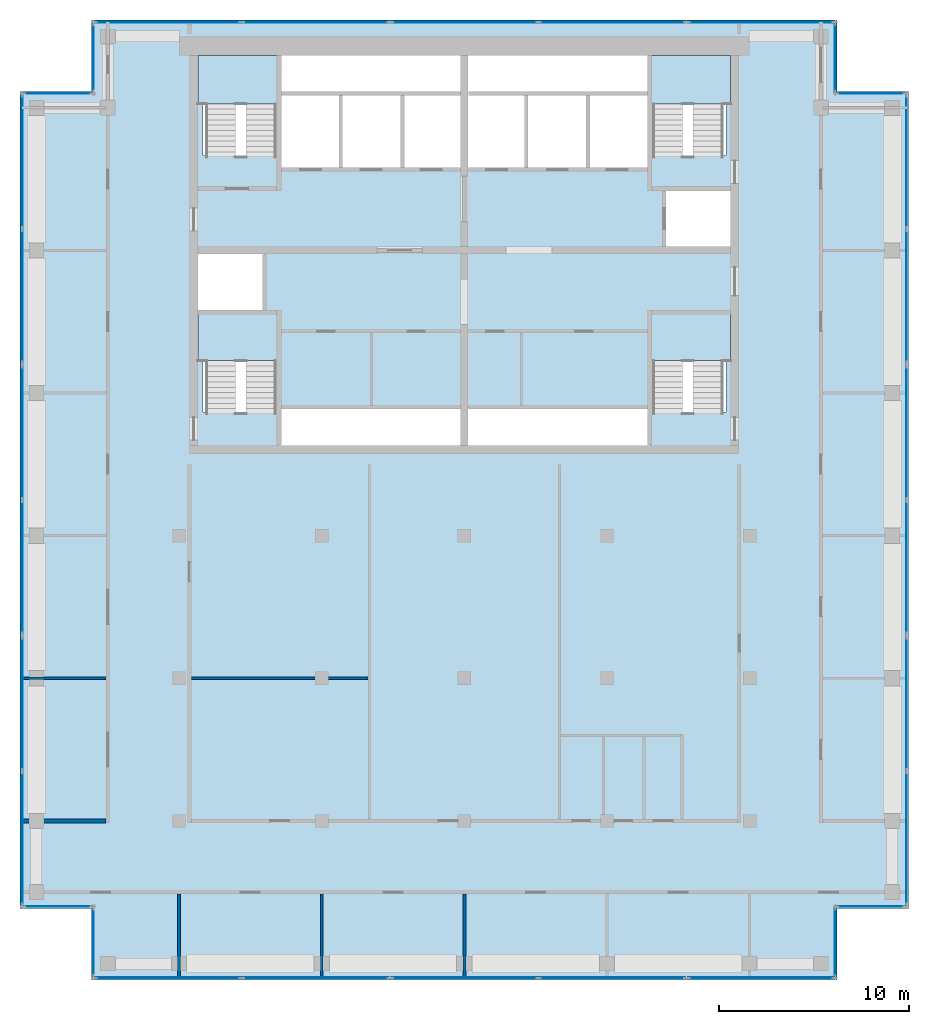
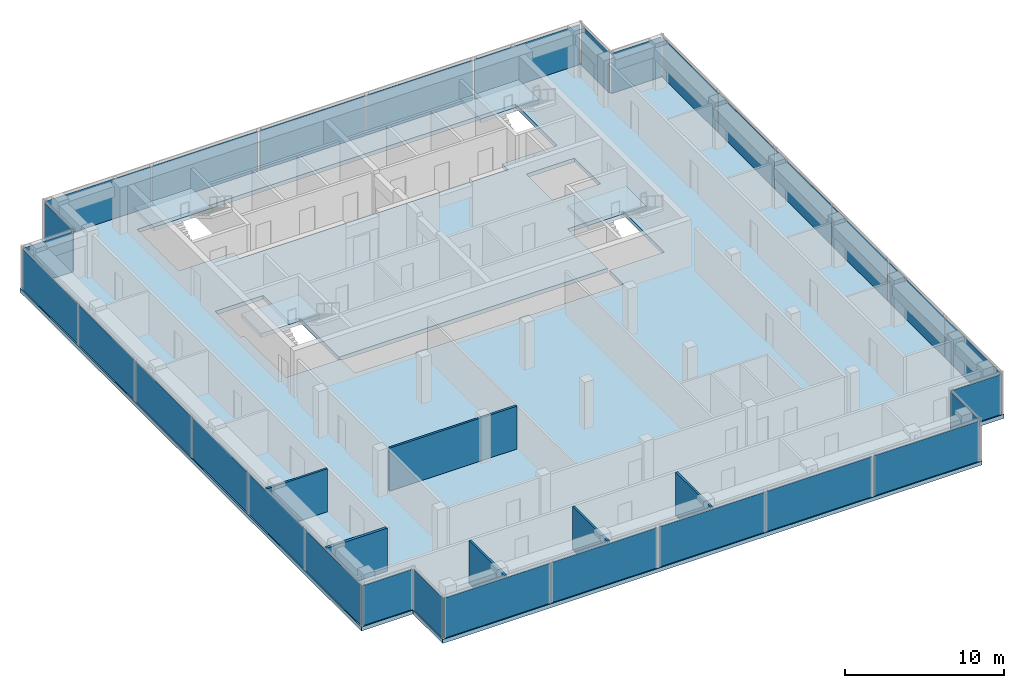
# One storey, part 5 of 9: 30 plates, 6 walls, 5 slabs, 24 elements without a shape of their own.
"""IFC4 building model written with IfcOpenShell, lengths in metres."""

from ifc_helpers import new_model, si_unit, direction, frame, frame_2d, origin, origin_2d, place, context, subcontext, project, spatial, polyline, rectangle, outline, extrude, material, layer, layer_set, type_object, element, aggregate, save


model = new_model("IFC4")

# Units and contexts
model_context = context("Model", 3, precision=1e-05, world=origin(), true_north=direction((0.0, 1.0)))
body_context = subcontext(model_context, "Body", "Model", "MODEL_VIEW")
ifc_project = project(units=[si_unit("LENGTHUNIT", "METRE"), si_unit("AREAUNIT", "SQUARE_METRE"), si_unit("VOLUMEUNIT", "CUBIC_METRE"), si_unit("PLANEANGLEUNIT", "RADIAN"), si_unit("MASSUNIT", "GRAM", prefix="KILO")], contexts=[model_context])

# Site, building, storey
site_placement = place(None, origin())
site = spatial("IfcSite", under=ifc_project, at=site_placement, CompositionType="ELEMENT")
building_placement = place(site_placement, origin())
building = spatial("IfcBuilding", under=site, at=building_placement, Name="Pilkhan Gate Tower", CompositionType="ELEMENT")
storey_placement = place(building_placement, frame((0.0, 0.0, 262.10009765625)))
storey = spatial("IfcBuildingStorey", under=building, at=storey_placement, Name="L68", CompositionType="ELEMENT", Elevation=262.10009765625)

# Slab
ifc_material_1 = material(Name="Concrete C40/50", Category="concrete")
ifc_layer_1 = layer(ifc_material_1, 0.300048828125)
ifc_layer_set_1 = layer_set([ifc_layer_1], Name="Flat plate slab FP300")
slab_type_1 = type_object("IfcSlabType", Name="Flat plate slab FP300", PredefinedType="FLOOR", material=ifc_layer_set_1)
slab_1_placement = place(storey_placement, frame((0.0, 0.0, -0.300048828125)))
element("IfcSlab", 1, at=slab_1_placement, inside=storey, type_object=slab_type_1, Name="Floor slab L68", PredefinedType="FLOOR", context=body_context, shape_type="SweptSolid", body=[
    extrude(outline(polyline([(94.60009765625, 44.14990234375), (55.39990234375, 44.14990234375), (55.39990234375, 47.89990234375), (51.64990234375, 47.89990234375), (51.64990234375, 90.85009765625), (55.39990234375, 90.85009765625), (55.39990234375, 94.60009765625), (94.60009765625, 94.60009765625), (94.60009765625, 90.85009765625), (98.35009765625, 90.85009765625), (98.35009765625, 47.89990234375), (94.60009765625, 47.89990234375), (94.60009765625, 44.14990234375)]), holes=[polyline([(68.5, 86.75), (71.75, 86.75), (75.0, 86.75), (78.25, 86.75), (81.5, 86.75), (84.75, 86.75), (84.75, 87.5), (88.75, 87.5), (88.75, 92.75), (84.75, 92.75), (75.0, 92.75), (65.25, 92.75), (61.25, 92.75), (61.25, 87.5), (65.25, 87.5), (65.25, 86.75), (68.5, 86.75)]), polyline([(84.75, 74.25), (75.0, 74.25), (65.25, 74.25), (65.25, 79.25), (64.5, 79.25), (64.5, 82.5), (61.25, 82.5), (61.0, 82.5), (61.0, 79.25), (61.25, 79.25), (61.25, 74.0), (65.25, 74.0), (65.25, 72.25), (75.0, 72.25), (84.75, 72.25), (84.75, 74.0), (88.75, 74.0), (88.75, 79.25), (84.75, 79.25), (84.75, 74.25)]), polyline([(85.5, 85.75), (85.5, 82.5), (88.75, 82.5), (89.0, 82.5), (89.0, 85.75), (88.75, 85.75), (85.5, 85.75)])]), origin(), (0.0, 0.0, 1.0), 0.300048828125),
])

# Curtain wall, plates
ifc_material_2 = material(Name="Pale anodised aluminium, clear low-iron double glazing", Category="aluminium")
curtain_wall_type = type_object("IfcCurtainWallType", Name="Crown unitised curtain wall CW-C", PredefinedType="USERDEFINED", material=ifc_material_2)
curtain_wall_1_placement = place(storey_placement, origin())
curtain_wall_1 = element("IfcCurtainWall", 2, at=curtain_wall_1_placement, inside=storey, type_object=curtain_wall_type, Name="Crown unitised curtain wall CW-C L68 E", ObjectType="UNITISED CURTAIN WALL", PredefinedType="USERDEFINED")
ifc_material_3 = material(Name="Clear low-iron double glazing", Category="glass")
ifc_layer_2 = layer(ifc_material_3, 0.0439453125)
ifc_layer_set_2 = layer_set([ifc_layer_2], Name="Glass panel CW-C 44")
plate_type = type_object("IfcPlateType", Name="Glass panel CW-C 44", PredefinedType="CURTAIN_PANEL", material=ifc_layer_set_2)
plate_1_placement = place(storey_placement, frame((98.25, 51.581298828125, -0.000244140625), z_axis=(0.0, 0.0, 1.0), x_axis=(0.0, 1.0, 0.0)))
plate_1 = element("IfcPlate", 3, at=plate_1_placement, type_object=plate_type, Name="CW-C panel 1", PredefinedType="CURTAIN_PANEL", context=body_context, shape_type="SweptSolid", body=[
    extrude(rectangle(XDim=7.012451171875, YDim=0.0439453125, at=origin_2d()), origin(), (0.0, 0.0, 1.0), 3.080078125),
])
plate_2_placement = place(storey_placement, frame((98.25, 58.668701171875, -0.000244140625), z_axis=(0.0, 0.0, 1.0), x_axis=(0.0, 1.0, 0.0)))
plate_2 = element("IfcPlate", 4, at=plate_2_placement, type_object=plate_type, Name="CW-C panel 2", PredefinedType="CURTAIN_PANEL", context=body_context, shape_type="SweptSolid", body=[
    extrude(rectangle(XDim=7.012451171875, YDim=0.0439453125, at=origin_2d()), origin(), (0.0, 0.0, 1.0), 3.080078125),
])
aggregate(curtain_wall_1, [plate_1, plate_2])

curtain_wall_2_placement = place(storey_placement, origin())
curtain_wall_2 = element("IfcCurtainWall", 5, at=curtain_wall_2_placement, inside=storey, type_object=curtain_wall_type, Name="Crown unitised curtain wall CW-C L68 E", ObjectType="UNITISED CURTAIN WALL", PredefinedType="USERDEFINED")
plate_3_placement = place(storey_placement, frame((98.25, 65.831298828125, -0.000244140625), z_axis=(0.0, 0.0, 1.0), x_axis=(0.0, 1.0, 0.0)))
plate_3 = element("IfcPlate", 6, at=plate_3_placement, type_object=plate_type, Name="CW-C panel 1", PredefinedType="CURTAIN_PANEL", context=body_context, shape_type="SweptSolid", body=[
    extrude(rectangle(XDim=7.012451171875, YDim=0.0439453125, at=origin_2d()), origin(), (0.0, 0.0, 1.0), 3.080078125),
])
plate_4_placement = place(storey_placement, frame((98.25, 72.918701171875, -0.000244140625), z_axis=(0.0, 0.0, 1.0), x_axis=(0.0, 1.0, 0.0)))
plate_4 = element("IfcPlate", 7, at=plate_4_placement, type_object=plate_type, Name="CW-C panel 2", PredefinedType="CURTAIN_PANEL", context=body_context, shape_type="SweptSolid", body=[
    extrude(rectangle(XDim=7.012451171875, YDim=0.0439453125, at=origin_2d()), origin(), (0.0, 0.0, 1.0), 3.080078125),
])
aggregate(curtain_wall_2, [plate_3, plate_4])

curtain_wall_3_placement = place(storey_placement, origin())
curtain_wall_3 = element("IfcCurtainWall", 8, at=curtain_wall_3_placement, inside=storey, type_object=curtain_wall_type, Name="Crown unitised curtain wall CW-C L68 E", ObjectType="UNITISED CURTAIN WALL", PredefinedType="USERDEFINED")
plate_5_placement = place(storey_placement, frame((98.25, 80.081298828125, -0.000244140625), z_axis=(0.0, 0.0, 1.0), x_axis=(0.0, 1.0, 0.0)))
plate_5 = element("IfcPlate", 9, at=plate_5_placement, type_object=plate_type, Name="CW-C panel 1", PredefinedType="CURTAIN_PANEL", context=body_context, shape_type="SweptSolid", body=[
    extrude(rectangle(XDim=7.012451171875, YDim=0.0439453125, at=origin_2d()), origin(), (0.0, 0.0, 1.0), 3.080078125),
])
plate_6_placement = place(storey_placement, frame((98.25, 87.168701171875, -0.000244140625), z_axis=(0.0, 0.0, 1.0), x_axis=(0.0, 1.0, 0.0)))
plate_6 = element("IfcPlate", 10, at=plate_6_placement, type_object=plate_type, Name="CW-C panel 2", PredefinedType="CURTAIN_PANEL", context=body_context, shape_type="SweptSolid", body=[
    extrude(rectangle(XDim=7.012451171875, YDim=0.0439453125, at=origin_2d()), origin(), (0.0, 0.0, 1.0), 3.080078125),
])
aggregate(curtain_wall_3, [plate_5, plate_6])

# Curtain wall, plate
curtain_wall_4_placement = place(storey_placement, origin())
curtain_wall_4 = element("IfcCurtainWall", 11, at=curtain_wall_4_placement, inside=storey, type_object=curtain_wall_type, Name="Crown unitised curtain wall CW-C L68 N", ObjectType="UNITISED CURTAIN WALL", PredefinedType="USERDEFINED")
plate_7_placement = place(storey_placement, frame((96.375, 90.75, -0.000244140625), z_axis=(0.0, 0.0, 1.0), x_axis=(1.0, 0.0, 0.0)))
plate_7 = element("IfcPlate", 12, at=plate_7_placement, type_object=plate_type, Name="CW-C panel 1", PredefinedType="CURTAIN_PANEL", context=body_context, shape_type="SweptSolid", body=[
    extrude(rectangle(XDim=3.60009765625, YDim=0.0439453125, at=origin_2d()), origin(), (0.0, 0.0, 1.0), 3.080078125),
])
aggregate(curtain_wall_4, [plate_7])

curtain_wall_5_placement = place(storey_placement, origin())
curtain_wall_5 = element("IfcCurtainWall", 13, at=curtain_wall_5_placement, inside=storey, type_object=curtain_wall_type, Name="Crown unitised curtain wall CW-C L68 E", ObjectType="UNITISED CURTAIN WALL", PredefinedType="USERDEFINED")
plate_8_placement = place(storey_placement, frame((94.5, 92.625, -0.000244140625), z_axis=(0.0, 0.0, 1.0), x_axis=(0.0, 1.0, 0.0)))
plate_8 = element("IfcPlate", 14, at=plate_8_placement, type_object=plate_type, Name="CW-C panel 1", PredefinedType="CURTAIN_PANEL", context=body_context, shape_type="SweptSolid", body=[
    extrude(rectangle(XDim=3.60009765625, YDim=0.0439453125, at=origin_2d()), origin(), (0.0, 0.0, 1.0), 3.080078125),
])
aggregate(curtain_wall_5, [plate_8])

# Curtain wall, plates
curtain_wall_6_placement = place(storey_placement, origin())
curtain_wall_6 = element("IfcCurtainWall", 15, at=curtain_wall_6_placement, inside=storey, type_object=curtain_wall_type, Name="Crown unitised curtain wall CW-C L68 N", ObjectType="UNITISED CURTAIN WALL", PredefinedType="USERDEFINED")
plate_9_placement = place(storey_placement, frame((59.418701171875, 94.5, -0.000244140625), z_axis=(0.0, 0.0, 1.0), x_axis=(1.0, 0.0, 0.0)))
plate_9 = element("IfcPlate", 16, at=plate_9_placement, type_object=plate_type, Name="CW-C panel 1", PredefinedType="CURTAIN_PANEL", context=body_context, shape_type="SweptSolid", body=[
    extrude(rectangle(XDim=7.6875, YDim=0.0439453125, at=origin_2d()), origin(), (0.0, 0.0, 1.0), 3.080078125),
])
plate_10_placement = place(storey_placement, frame((67.18115234375, 94.5, -0.000244140625), z_axis=(0.0, 0.0, 1.0), x_axis=(1.0, 0.0, 0.0)))
plate_10 = element("IfcPlate", 17, at=plate_10_placement, type_object=plate_type, Name="CW-C panel 2", PredefinedType="CURTAIN_PANEL", context=body_context, shape_type="SweptSolid", body=[
    extrude(rectangle(XDim=7.6875, YDim=0.0439453125, at=origin_2d()), origin(), (0.0, 0.0, 1.0), 3.080078125),
])
aggregate(curtain_wall_6, [plate_9, plate_10])

curtain_wall_7_placement = place(storey_placement, origin())
curtain_wall_7 = element("IfcCurtainWall", 18, at=curtain_wall_7_placement, inside=storey, type_object=curtain_wall_type, Name="Crown unitised curtain wall CW-C L68 N", ObjectType="UNITISED CURTAIN WALL", PredefinedType="USERDEFINED")
plate_11_placement = place(storey_placement, frame((75.018798828125, 94.5, -0.000244140625), z_axis=(0.0, 0.0, 1.0), x_axis=(1.0, 0.0, 0.0)))
plate_11 = element("IfcPlate", 19, at=plate_11_placement, type_object=plate_type, Name="CW-C panel 1", PredefinedType="CURTAIN_PANEL", context=body_context, shape_type="SweptSolid", body=[
    extrude(rectangle(XDim=7.6875, YDim=0.0439453125, at=origin_2d()), origin(), (0.0, 0.0, 1.0), 3.080078125),
])
plate_12_placement = place(storey_placement, frame((82.78125, 94.5, -0.000244140625), z_axis=(0.0, 0.0, 1.0), x_axis=(1.0, 0.0, 0.0)))
plate_12 = element("IfcPlate", 20, at=plate_12_placement, type_object=plate_type, Name="CW-C panel 2", PredefinedType="CURTAIN_PANEL", context=body_context, shape_type="SweptSolid", body=[
    extrude(rectangle(XDim=7.6875, YDim=0.0439453125, at=origin_2d()), origin(), (0.0, 0.0, 1.0), 3.080078125),
])
aggregate(curtain_wall_7, [plate_11, plate_12])

# Curtain wall, plate
curtain_wall_8_placement = place(storey_placement, origin())
curtain_wall_8 = element("IfcCurtainWall", 21, at=curtain_wall_8_placement, inside=storey, type_object=curtain_wall_type, Name="Crown unitised curtain wall CW-C L68 N", ObjectType="UNITISED CURTAIN WALL", PredefinedType="USERDEFINED")
plate_13_placement = place(storey_placement, frame((90.60009765625, 94.5, -0.000244140625), z_axis=(0.0, 0.0, 1.0), x_axis=(1.0, 0.0, 0.0)))
plate_13 = element("IfcPlate", 22, at=plate_13_placement, type_object=plate_type, Name="CW-C panel 1", PredefinedType="CURTAIN_PANEL", context=body_context, shape_type="SweptSolid", body=[
    extrude(rectangle(XDim=7.64990234375, YDim=0.0439453125, at=origin_2d()), origin(), (0.0, 0.0, 1.0), 3.080078125),
])
aggregate(curtain_wall_8, [plate_13])

curtain_wall_9_placement = place(storey_placement, origin())
curtain_wall_9 = element("IfcCurtainWall", 23, at=curtain_wall_9_placement, inside=storey, type_object=curtain_wall_type, Name="Crown unitised curtain wall CW-C L68 W", ObjectType="UNITISED CURTAIN WALL", PredefinedType="USERDEFINED")
plate_14_placement = place(storey_placement, frame((55.5, 92.625, -0.000244140625), z_axis=(0.0, 0.0, 1.0), x_axis=(0.0, 1.0, 0.0)))
plate_14 = element("IfcPlate", 24, at=plate_14_placement, type_object=plate_type, Name="CW-C panel 1", PredefinedType="CURTAIN_PANEL", context=body_context, shape_type="SweptSolid", body=[
    extrude(rectangle(XDim=3.60009765625, YDim=0.0439453125, at=origin_2d()), origin(), (0.0, 0.0, 1.0), 3.080078125),
])
aggregate(curtain_wall_9, [plate_14])

curtain_wall_10_placement = place(storey_placement, origin())
curtain_wall_10 = element("IfcCurtainWall", 25, at=curtain_wall_10_placement, inside=storey, type_object=curtain_wall_type, Name="Crown unitised curtain wall CW-C L68 N", ObjectType="UNITISED CURTAIN WALL", PredefinedType="USERDEFINED")
plate_15_placement = place(storey_placement, frame((53.625, 90.75, -0.000244140625), z_axis=(0.0, 0.0, 1.0), x_axis=(1.0, 0.0, 0.0)))
plate_15 = element("IfcPlate", 26, at=plate_15_placement, type_object=plate_type, Name="CW-C panel 1", PredefinedType="CURTAIN_PANEL", context=body_context, shape_type="SweptSolid", body=[
    extrude(rectangle(XDim=3.60009765625, YDim=0.0439453125, at=origin_2d()), origin(), (0.0, 0.0, 1.0), 3.080078125),
])
aggregate(curtain_wall_10, [plate_15])

# Curtain wall, plates
curtain_wall_11_placement = place(storey_placement, origin())
curtain_wall_11 = element("IfcCurtainWall", 27, at=curtain_wall_11_placement, inside=storey, type_object=curtain_wall_type, Name="Crown unitised curtain wall CW-C L68 W", ObjectType="UNITISED CURTAIN WALL", PredefinedType="USERDEFINED")
plate_16_placement = place(storey_placement, frame((51.75, 51.581298828125, -0.000244140625), z_axis=(0.0, 0.0, 1.0), x_axis=(0.0, 1.0, 0.0)))
plate_16 = element("IfcPlate", 28, at=plate_16_placement, type_object=plate_type, Name="CW-C panel 1", PredefinedType="CURTAIN_PANEL", context=body_context, shape_type="SweptSolid", body=[
    extrude(rectangle(XDim=7.012451171875, YDim=0.0439453125, at=origin_2d()), origin(), (0.0, 0.0, 1.0), 3.080078125),
])
plate_17_placement = place(storey_placement, frame((51.75, 58.668701171875, -0.000244140625), z_axis=(0.0, 0.0, 1.0), x_axis=(0.0, 1.0, 0.0)))
plate_17 = element("IfcPlate", 29, at=plate_17_placement, type_object=plate_type, Name="CW-C panel 2", PredefinedType="CURTAIN_PANEL", context=body_context, shape_type="SweptSolid", body=[
    extrude(rectangle(XDim=7.012451171875, YDim=0.0439453125, at=origin_2d()), origin(), (0.0, 0.0, 1.0), 3.080078125),
])
aggregate(curtain_wall_11, [plate_16, plate_17])

curtain_wall_12_placement = place(storey_placement, origin())
curtain_wall_12 = element("IfcCurtainWall", 30, at=curtain_wall_12_placement, inside=storey, type_object=curtain_wall_type, Name="Crown unitised curtain wall CW-C L68 W", ObjectType="UNITISED CURTAIN WALL", PredefinedType="USERDEFINED")
plate_18_placement = place(storey_placement, frame((51.75, 65.831298828125, -0.000244140625), z_axis=(0.0, 0.0, 1.0), x_axis=(0.0, 1.0, 0.0)))
plate_18 = element("IfcPlate", 31, at=plate_18_placement, type_object=plate_type, Name="CW-C panel 1", PredefinedType="CURTAIN_PANEL", context=body_context, shape_type="SweptSolid", body=[
    extrude(rectangle(XDim=7.012451171875, YDim=0.0439453125, at=origin_2d()), origin(), (0.0, 0.0, 1.0), 3.080078125),
])
plate_19_placement = place(storey_placement, frame((51.75, 72.918701171875, -0.000244140625), z_axis=(0.0, 0.0, 1.0), x_axis=(0.0, 1.0, 0.0)))
plate_19 = element("IfcPlate", 32, at=plate_19_placement, type_object=plate_type, Name="CW-C panel 2", PredefinedType="CURTAIN_PANEL", context=body_context, shape_type="SweptSolid", body=[
    extrude(rectangle(XDim=7.012451171875, YDim=0.0439453125, at=origin_2d()), origin(), (0.0, 0.0, 1.0), 3.080078125),
])
aggregate(curtain_wall_12, [plate_18, plate_19])

curtain_wall_13_placement = place(storey_placement, origin())
curtain_wall_13 = element("IfcCurtainWall", 33, at=curtain_wall_13_placement, inside=storey, type_object=curtain_wall_type, Name="Crown unitised curtain wall CW-C L68 W", ObjectType="UNITISED CURTAIN WALL", PredefinedType="USERDEFINED")
plate_20_placement = place(storey_placement, frame((51.75, 80.081298828125, -0.000244140625), z_axis=(0.0, 0.0, 1.0), x_axis=(0.0, 1.0, 0.0)))
plate_20 = element("IfcPlate", 34, at=plate_20_placement, type_object=plate_type, Name="CW-C panel 1", PredefinedType="CURTAIN_PANEL", context=body_context, shape_type="SweptSolid", body=[
    extrude(rectangle(XDim=7.012451171875, YDim=0.0439453125, at=origin_2d()), origin(), (0.0, 0.0, 1.0), 3.080078125),
])
plate_21_placement = place(storey_placement, frame((51.75, 87.168701171875, -0.000244140625), z_axis=(0.0, 0.0, 1.0), x_axis=(0.0, 1.0, 0.0)))
plate_21 = element("IfcPlate", 35, at=plate_21_placement, type_object=plate_type, Name="CW-C panel 2", PredefinedType="CURTAIN_PANEL", context=body_context, shape_type="SweptSolid", body=[
    extrude(rectangle(XDim=7.012451171875, YDim=0.0439453125, at=origin_2d()), origin(), (0.0, 0.0, 1.0), 3.080078125),
])
aggregate(curtain_wall_13, [plate_20, plate_21])

# Curtain wall, plate
curtain_wall_14_placement = place(storey_placement, origin())
curtain_wall_14 = element("IfcCurtainWall", 36, at=curtain_wall_14_placement, inside=storey, type_object=curtain_wall_type, Name="Crown unitised curtain wall CW-C L68 S", ObjectType="UNITISED CURTAIN WALL", PredefinedType="USERDEFINED")
plate_22_placement = place(storey_placement, frame((53.625, 48.0, -0.000244140625), z_axis=(0.0, 0.0, 1.0), x_axis=(1.0, 0.0, 0.0)))
plate_22 = element("IfcPlate", 37, at=plate_22_placement, type_object=plate_type, Name="CW-C panel 1", PredefinedType="CURTAIN_PANEL", context=body_context, shape_type="SweptSolid", body=[
    extrude(rectangle(XDim=3.60009765625, YDim=0.0439453125, at=origin_2d()), origin(), (0.0, 0.0, 1.0), 3.080078125),
])
aggregate(curtain_wall_14, [plate_22])

curtain_wall_15_placement = place(storey_placement, origin())
curtain_wall_15 = element("IfcCurtainWall", 38, at=curtain_wall_15_placement, inside=storey, type_object=curtain_wall_type, Name="Crown unitised curtain wall CW-C L68 W", ObjectType="UNITISED CURTAIN WALL", PredefinedType="USERDEFINED")
plate_23_placement = place(storey_placement, frame((55.5, 46.125, -0.000244140625), z_axis=(0.0, 0.0, 1.0), x_axis=(0.0, 1.0, 0.0)))
plate_23 = element("IfcPlate", 39, at=plate_23_placement, type_object=plate_type, Name="CW-C panel 1", PredefinedType="CURTAIN_PANEL", context=body_context, shape_type="SweptSolid", body=[
    extrude(rectangle(XDim=3.60009765625, YDim=0.0439453125, at=origin_2d()), origin(), (0.0, 0.0, 1.0), 3.080078125),
])
aggregate(curtain_wall_15, [plate_23])

# Curtain wall, plates
curtain_wall_16_placement = place(storey_placement, origin())
curtain_wall_16 = element("IfcCurtainWall", 40, at=curtain_wall_16_placement, inside=storey, type_object=curtain_wall_type, Name="Crown unitised curtain wall CW-C L68 S", ObjectType="UNITISED CURTAIN WALL", PredefinedType="USERDEFINED")
plate_24_placement = place(storey_placement, frame((59.418701171875, 44.25, -0.000244140625), z_axis=(0.0, 0.0, 1.0), x_axis=(1.0, 0.0, 0.0)))
plate_24 = element("IfcPlate", 41, at=plate_24_placement, type_object=plate_type, Name="CW-C panel 1", PredefinedType="CURTAIN_PANEL", context=body_context, shape_type="SweptSolid", body=[
    extrude(rectangle(XDim=7.6875, YDim=0.0439453125, at=origin_2d()), origin(), (0.0, 0.0, 1.0), 3.080078125),
])
plate_25_placement = place(storey_placement, frame((67.18115234375, 44.25, -0.000244140625), z_axis=(0.0, 0.0, 1.0), x_axis=(1.0, 0.0, 0.0)))
plate_25 = element("IfcPlate", 42, at=plate_25_placement, type_object=plate_type, Name="CW-C panel 2", PredefinedType="CURTAIN_PANEL", context=body_context, shape_type="SweptSolid", body=[
    extrude(rectangle(XDim=7.6875, YDim=0.0439453125, at=origin_2d()), origin(), (0.0, 0.0, 1.0), 3.080078125),
])
aggregate(curtain_wall_16, [plate_24, plate_25])

curtain_wall_17_placement = place(storey_placement, origin())
curtain_wall_17 = element("IfcCurtainWall", 43, at=curtain_wall_17_placement, inside=storey, type_object=curtain_wall_type, Name="Crown unitised curtain wall CW-C L68 S", ObjectType="UNITISED CURTAIN WALL", PredefinedType="USERDEFINED")
plate_26_placement = place(storey_placement, frame((75.018798828125, 44.25, -0.000244140625), z_axis=(0.0, 0.0, 1.0), x_axis=(1.0, 0.0, 0.0)))
plate_26 = element("IfcPlate", 44, at=plate_26_placement, type_object=plate_type, Name="CW-C panel 1", PredefinedType="CURTAIN_PANEL", context=body_context, shape_type="SweptSolid", body=[
    extrude(rectangle(XDim=7.6875, YDim=0.0439453125, at=origin_2d()), origin(), (0.0, 0.0, 1.0), 3.080078125),
])
plate_27_placement = place(storey_placement, frame((82.78125, 44.25, -0.000244140625), z_axis=(0.0, 0.0, 1.0), x_axis=(1.0, 0.0, 0.0)))
plate_27 = element("IfcPlate", 45, at=plate_27_placement, type_object=plate_type, Name="CW-C panel 2", PredefinedType="CURTAIN_PANEL", context=body_context, shape_type="SweptSolid", body=[
    extrude(rectangle(XDim=7.6875, YDim=0.0439453125, at=origin_2d()), origin(), (0.0, 0.0, 1.0), 3.080078125),
])
aggregate(curtain_wall_17, [plate_26, plate_27])

# Curtain wall, plate
curtain_wall_18_placement = place(storey_placement, origin())
curtain_wall_18 = element("IfcCurtainWall", 46, at=curtain_wall_18_placement, inside=storey, type_object=curtain_wall_type, Name="Crown unitised curtain wall CW-C L68 S", ObjectType="UNITISED CURTAIN WALL", PredefinedType="USERDEFINED")
plate_28_placement = place(storey_placement, frame((90.60009765625, 44.25, -0.000244140625), z_axis=(0.0, 0.0, 1.0), x_axis=(1.0, 0.0, 0.0)))
plate_28 = element("IfcPlate", 47, at=plate_28_placement, type_object=plate_type, Name="CW-C panel 1", PredefinedType="CURTAIN_PANEL", context=body_context, shape_type="SweptSolid", body=[
    extrude(rectangle(XDim=7.64990234375, YDim=0.0439453125, at=origin_2d()), origin(), (0.0, 0.0, 1.0), 3.080078125),
])
aggregate(curtain_wall_18, [plate_28])

curtain_wall_19_placement = place(storey_placement, origin())
curtain_wall_19 = element("IfcCurtainWall", 48, at=curtain_wall_19_placement, inside=storey, type_object=curtain_wall_type, Name="Crown unitised curtain wall CW-C L68 E", ObjectType="UNITISED CURTAIN WALL", PredefinedType="USERDEFINED")
plate_29_placement = place(storey_placement, frame((94.5, 46.125, -0.000244140625), z_axis=(0.0, 0.0, 1.0), x_axis=(0.0, 1.0, 0.0)))
plate_29 = element("IfcPlate", 49, at=plate_29_placement, type_object=plate_type, Name="CW-C panel 1", PredefinedType="CURTAIN_PANEL", context=body_context, shape_type="SweptSolid", body=[
    extrude(rectangle(XDim=3.60009765625, YDim=0.0439453125, at=origin_2d()), origin(), (0.0, 0.0, 1.0), 3.080078125),
])
aggregate(curtain_wall_19, [plate_29])

curtain_wall_20_placement = place(storey_placement, origin())
curtain_wall_20 = element("IfcCurtainWall", 50, at=curtain_wall_20_placement, inside=storey, type_object=curtain_wall_type, Name="Crown unitised curtain wall CW-C L68 S", ObjectType="UNITISED CURTAIN WALL", PredefinedType="USERDEFINED")
plate_30_placement = place(storey_placement, frame((96.375, 48.0, -0.000244140625), z_axis=(0.0, 0.0, 1.0), x_axis=(1.0, 0.0, 0.0)))
plate_30 = element("IfcPlate", 51, at=plate_30_placement, type_object=plate_type, Name="CW-C panel 1", PredefinedType="CURTAIN_PANEL", context=body_context, shape_type="SweptSolid", body=[
    extrude(rectangle(XDim=3.60009765625, YDim=0.0439453125, at=origin_2d()), origin(), (0.0, 0.0, 1.0), 3.080078125),
])
aggregate(curtain_wall_20, [plate_30])

# Stair, slab
ifc_material_4 = material(Name="Concrete C40/50 precast", Category="concrete")
stair_type_1 = type_object("IfcStairType", Name="Stair ST1 164x280", PredefinedType="HALF_TURN_STAIR", material=ifc_material_4)
stair_1_placement = place(storey_placement, origin())
stair_1 = element("IfcStair", 52, at=stair_1_placement, inside=storey, type_object=stair_type_1, Name="Stair ST1 L68", PredefinedType="HALF_TURN_STAIR")
ifc_layer_3 = layer(ifc_material_1, 0.199951171875)
ifc_layer_set_3 = layer_set([ifc_layer_3], Name="Stair landing SL200")
slab_type_2 = type_object("IfcSlabType", Name="Stair landing SL200", PredefinedType="LANDING", material=ifc_layer_set_3)
slab_2_placement = place(storey_placement, frame((0.0, 0.0, 1.5)))
slab_2 = element("IfcSlab", 53, at=slab_2_placement, type_object=slab_type_2, Name="ST1 landing 1", PredefinedType="LANDING", context=body_context, shape_type="SweptSolid", body=[
    extrude(outline(polyline([(89.0, 76.699951171875), (89.0, 79.25), (84.75, 79.25), (84.75, 76.699951171875), (89.0, 76.699951171875)])), origin(), (0.0, 0.0, 1.0), 0.2998046875),
])
aggregate(stair_1, [slab_2])

stair_type_2 = type_object("IfcStairType", Name="Stair ST2 164x280", PredefinedType="HALF_TURN_STAIR", material=ifc_material_4)
stair_2_placement = place(storey_placement, origin())
stair_2 = element("IfcStair", 54, at=stair_2_placement, inside=storey, type_object=stair_type_2, Name="Stair ST2 L68", PredefinedType="HALF_TURN_STAIR")
slab_3_placement = place(storey_placement, frame((0.0, 0.0, 1.5)))
slab_3 = element("IfcSlab", 55, at=slab_3_placement, type_object=slab_type_2, Name="ST2 landing 1", PredefinedType="LANDING", context=body_context, shape_type="SweptSolid", body=[
    extrude(outline(polyline([(65.25, 76.699951171875), (65.25, 79.25), (61.0, 79.25), (61.0, 76.699951171875), (65.25, 76.699951171875)])), origin(), (0.0, 0.0, 1.0), 0.2998046875),
])
aggregate(stair_2, [slab_3])

stair_type_3 = type_object("IfcStairType", Name="Stair ST3 164x280", PredefinedType="HALF_TURN_STAIR", material=ifc_material_4)
stair_3_placement = place(storey_placement, origin())
stair_3 = element("IfcStair", 56, at=stair_3_placement, inside=storey, type_object=stair_type_3, Name="Stair ST3 L68", PredefinedType="HALF_TURN_STAIR")
slab_4_placement = place(storey_placement, frame((0.0, 0.0, 1.5)))
slab_4 = element("IfcSlab", 57, at=slab_4_placement, type_object=slab_type_2, Name="ST3 landing 1", PredefinedType="LANDING", context=body_context, shape_type="SweptSolid", body=[
    extrude(outline(polyline([(65.25, 90.199951171875), (65.25, 92.75), (61.0, 92.75), (61.0, 90.199951171875), (65.25, 90.199951171875)])), origin(), (0.0, 0.0, 1.0), 0.2998046875),
])
aggregate(stair_3, [slab_4])

stair_type_4 = type_object("IfcStairType", Name="Stair ST4 164x280", PredefinedType="HALF_TURN_STAIR", material=ifc_material_4)
stair_4_placement = place(storey_placement, origin())
stair_4 = element("IfcStair", 58, at=stair_4_placement, inside=storey, type_object=stair_type_4, Name="Stair ST4 L68", PredefinedType="HALF_TURN_STAIR")
slab_5_placement = place(storey_placement, frame((0.0, 0.0, 1.5)))
slab_5 = element("IfcSlab", 59, at=slab_5_placement, type_object=slab_type_2, Name="ST4 landing 1", PredefinedType="LANDING", context=body_context, shape_type="SweptSolid", body=[
    extrude(outline(polyline([(89.0, 90.199951171875), (89.0, 92.75), (84.75, 92.75), (84.75, 90.199951171875), (89.0, 90.199951171875)])), origin(), (0.0, 0.0, 1.0), 0.2998046875),
])
aggregate(stair_4, [slab_5])

# Walls
ifc_material_5 = material(Name="Dense blockwork", Category="masonry")
ifc_layer_4 = layer(ifc_material_5, 0.199951171875)
ifc_layer_set_4 = layer_set([ifc_layer_4], Name="Corridor wall FW200")
wall_type_1 = type_object("IfcWallType", Name="Corridor wall FW200", PredefinedType="PARTITIONING", material=ifc_layer_set_4)
wall_1_placement = place(storey_placement, frame((51.735107421875, 52.5, 0.0), z_axis=(0.0, 0.0, 1.0), x_axis=(1.0, 0.0, 0.0)))
element("IfcWall", 60, at=wall_1_placement, inside=storey, type_object=wall_type_1, Name="Partition L68", PredefinedType="PARTITIONING", context=body_context, shape_type="SweptSolid", body=[
    extrude(rectangle(XDim=4.414794921875, YDim=0.199951171875, at=frame_2d((2.20751953125, 0.0))), origin(), (0.0, 0.0, 1.0), 3.2998046875),
])
ifc_material_6 = material(Name="Blockwork partition, plastered both sides", Category="masonry")
ifc_layer_5 = layer(ifc_material_6, 0.14990234375)
ifc_layer_set_5 = layer_set([ifc_layer_5], Name="Partition PW150")
wall_type_2 = type_object("IfcWallType", Name="Partition PW150", PredefinedType="PARTITIONING", material=ifc_layer_set_5)
wall_2_placement = place(storey_placement, frame((51.735107421875, 60.0, 0.0), z_axis=(0.0, 0.0, 1.0), x_axis=(1.0, 0.0, 0.0)))
element("IfcWall", 61, at=wall_2_placement, inside=storey, type_object=wall_type_2, Name="Partition L68", PredefinedType="PARTITIONING", context=body_context, shape_type="SweptSolid", body=[
    extrude(rectangle(XDim=4.414794921875, YDim=0.14990234375, at=frame_2d((2.20751953125, 0.0))), origin(), (0.0, 0.0, 1.0), 3.2998046875),
])
wall_3_placement = place(storey_placement, frame((60.64990234375, 60.0, 0.0), z_axis=(0.0, 0.0, 1.0), x_axis=(1.0, 0.0, 0.0)))
element("IfcWall", 62, at=wall_3_placement, inside=storey, type_object=wall_type_2, Name="Partition L68", PredefinedType="PARTITIONING", context=body_context, shape_type="SweptSolid", body=[
    extrude(rectangle(XDim=9.275146484375, YDim=0.14990234375, at=frame_2d((4.6376953125, 0.0))), origin(), (0.0, 0.0, 1.0), 3.2998046875),
])
for number, where, z_axis, x_axis, name in (
    (63, (60.0, 44.235107421875, 0.0), (0.0, 0.0, 1.0), (0.0, 1.0, 0.0), "Partition L68"),
    (64, (67.5, 44.235107421875, 0.0), (0.0, 0.0, 1.0), (0.0, 1.0, 0.0), "Partition L68"),
    (65, (75.0, 44.235107421875, 0.0), (0.0, 0.0, 1.0), (0.0, 1.0, 0.0), "Partition L68"),
):
    element("IfcWall", number, at=place(storey_placement, frame(where, z_axis=z_axis, x_axis=x_axis)), inside=storey, type_object=wall_type_2, Name=name, PredefinedType="PARTITIONING", context=body_context, shape_type="SweptSolid", body=[
        extrude(rectangle(XDim=4.414794921875, YDim=0.14990234375, at=frame_2d((2.20751953125, 0.0))), origin(), (0.0, 0.0, 1.0), 3.2998046875),
    ])

save(model, "model.ifc")
